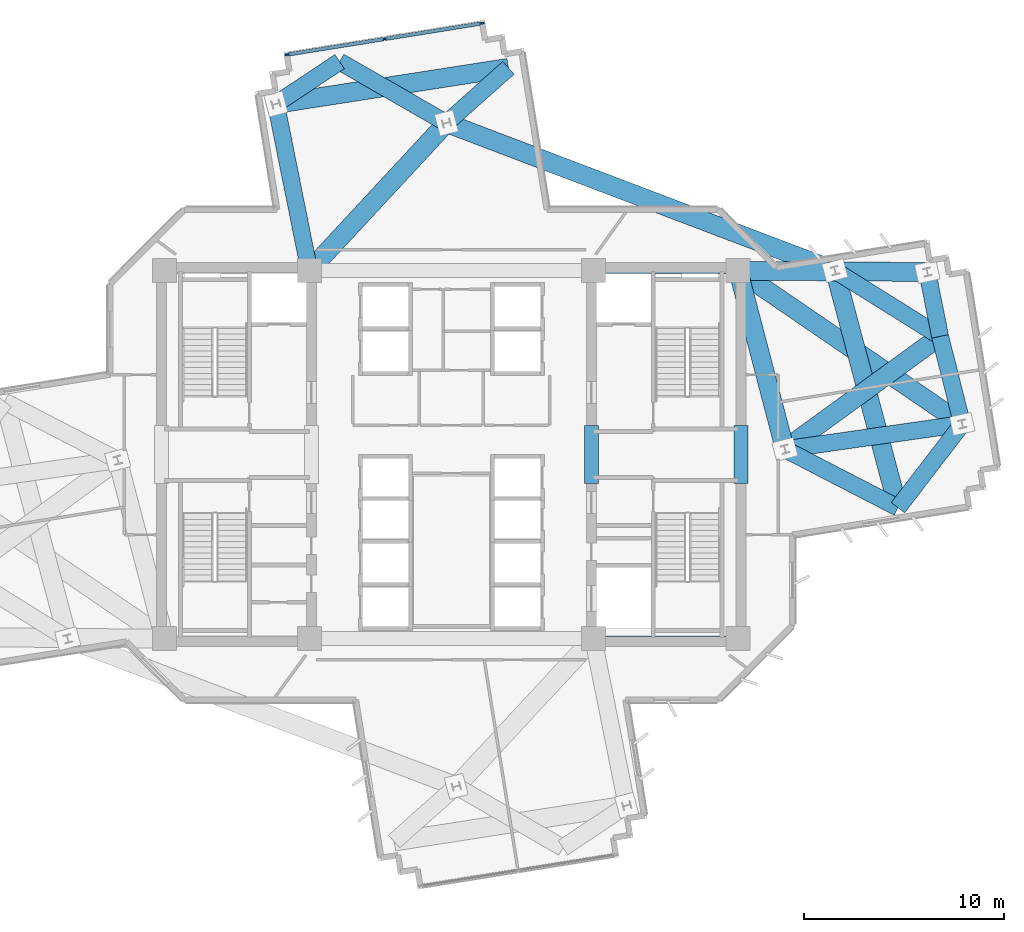
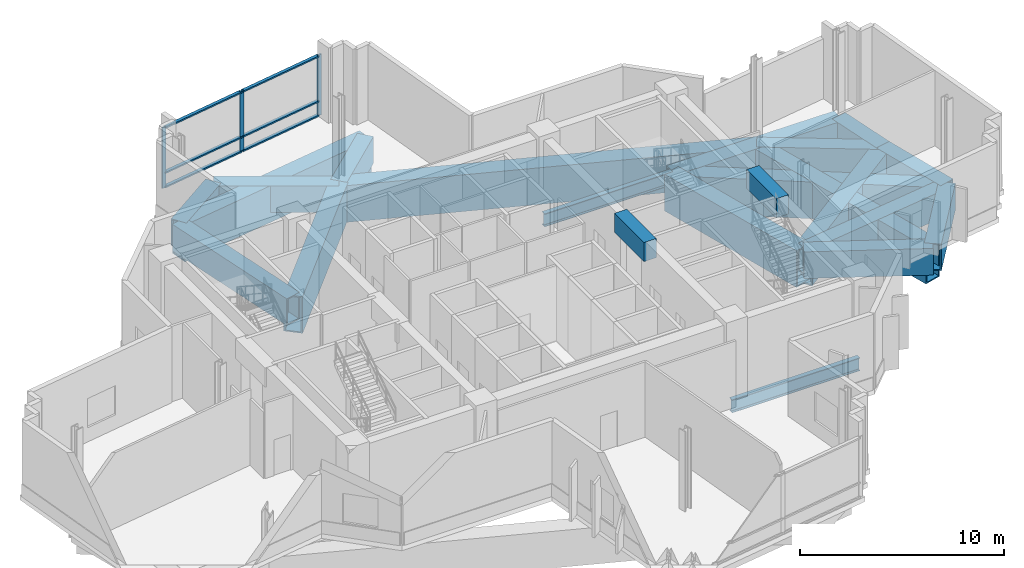
# One storey, part 3 of 12: 22 beams, 9 members, 1 element without a shape of its own.
"""IFC4 building model written with IfcOpenShell, lengths in metres."""

from ifc_helpers import new_model, si_unit, direction, frame, origin, origin_2d, place, context, subcontext, project, spatial, rectangle, hollow_rectangle, i_section, extrude, source, transform, mapped, material, layer, layer_set, material_profile, profile_set, type_object, element, aggregate, save


model = new_model("IFC4")

# Units and contexts
model_context = context("Model", 3, precision=1e-05, world=origin(), true_north=direction((0.0, 1.0)))
body_context = subcontext(model_context, "Body", "Model", "MODEL_VIEW")
ifc_project = project(units=[si_unit("LENGTHUNIT", "METRE"), si_unit("AREAUNIT", "SQUARE_METRE"), si_unit("VOLUMEUNIT", "CUBIC_METRE"), si_unit("PLANEANGLEUNIT", "RADIAN"), si_unit("MASSUNIT", "GRAM", prefix="KILO")], contexts=[model_context])

# Site, building, storey
site_placement = place(None, origin())
site = spatial("IfcSite", under=ifc_project, at=site_placement, CompositionType="ELEMENT")
building_placement = place(site_placement, origin())
building = spatial("IfcBuilding", under=site, at=building_placement, Name="Zahravan Cultural Tower", CompositionType="ELEMENT")
storey_placement = place(building_placement, frame((0.0, 0.0, 130.800048828125)))
storey = spatial("IfcBuildingStorey", under=building, at=storey_placement, Name="L29", CompositionType="ELEMENT", Elevation=130.800048828125)

# Beams
ifc_material_1 = material(Name="Concrete C50/60", Category="concrete")
ifc_material_profile_1 = material_profile(ifc_material_1, rectangle(XDim=0.699951171875, YDim=1.14990234375, at=origin_2d()), Name="RC700X1150")
ifc_profile_set_1 = profile_set([ifc_material_profile_1], Name="Concrete C50/60")
beam_type_1 = type_object("IfcBeamType", Name="BM-LN-RC700X1150", PredefinedType="LINTEL", material=ifc_profile_set_1)
shared_shape_1 = source(origin(), body_context, "Body", "SweptSolid", [
    extrude(rectangle(XDim=0.699951171875, YDim=1.14990234375, at=origin_2d()), origin(), (0.0, 0.0, 1.0), 2.89990234375),
])
for number, where, z_axis, x_axis, name in (
    (1, (43.0, 25.550048828125, 3.945068359375), (0.0, 1.0, 0.0), (-1.0, 0.0, 0.0), "L29 Beam LN-L29-PEW"),
    (2, (50.5, 25.550048828125, 3.945068359375), (0.0, 1.0, 0.0), (-1.0, 0.0, 0.0), "L29 Beam LN-L29-PEE"),
):
    element("IfcBeam", number, at=place(storey_placement, frame(where, z_axis=z_axis, x_axis=x_axis)), inside=storey, type_object=beam_type_1, Name=name, PredefinedType="LINTEL", context=body_context, shape_type="MappedRepresentation", body=[
        mapped(shared_shape_1, transform((0.0, 0.0, 0.0), x_axis=(1.0, 0.0, 0.0), y_axis=(0.0, 1.0, 0.0), z_axis=(0.0, 0.0, 1.0), scale=1.0)),
    ])
ifc_material_2 = material(Name="Steel ASTM A992 Grade 50", Category="steel")
ifc_material_profile_2 = material_profile(ifc_material_2, i_section(OverallWidth=0.26611328125, OverallDepth=0.780029296875, WebThickness=0.0166015625, FlangeThickness=0.030029296875, FilletRadius=0.01904296875, at=origin_2d()), Name="W30X148")
ifc_profile_set_2 = profile_set([ifc_material_profile_2], Name="Steel ASTM A992 Grade 50")
beam_type_2 = type_object("IfcBeamType", Name="BM-G-W30X148", PredefinedType="BEAM", material=ifc_profile_set_2)
shared_shape_2 = source(origin(), body_context, "Body", "SweptSolid", [
    extrude(i_section(OverallWidth=0.26611328125, OverallDepth=0.780029296875, WebThickness=0.0166015625, FlangeThickness=0.030029296875, FilletRadius=0.01904296875, at=origin_2d()), origin(), (0.0, 0.0, 1.0), 7.25),
])
for number, where, z_axis, x_axis, name in (
    (3, (43.10009765625, 17.800048828125, -0.68994140625), (1.0, 0.0, 0.0), (0.0, 1.0, 0.0), "L29 Beam BG-L29-04"),
    (4, (43.10009765625, 36.199951171875, -0.68994140625), (1.0, 0.0, 0.0), (0.0, 1.0, 0.0), "L29 Beam BG-L29-05"),
):
    element("IfcBeam", number, at=place(storey_placement, frame(where, z_axis=z_axis, x_axis=x_axis)), inside=storey, type_object=beam_type_2, Name=name, PredefinedType="BEAM", context=body_context, shape_type="MappedRepresentation", body=[
        mapped(shared_shape_2, transform((0.0, 0.0, 0.0), x_axis=(1.0, 0.0, 0.0), y_axis=(0.0, 1.0, 0.0), z_axis=(0.0, 0.0, 1.0), scale=1.0)),
    ])
ifc_material_3 = material(Name="Steel ASTM A572 Grade 50", Category="steel")
ifc_material_profile_3 = material_profile(ifc_material_3, hollow_rectangle(XDim=0.949951171875, YDim=2.199951171875, WallThickness=0.070068359375, at=origin_2d()), Name="BOX2200X950X70")
ifc_profile_set_3 = profile_set([ifc_material_profile_3], Name="Steel ASTM A572 Grade 50")
beam_type_3 = type_object("IfcBeamType", Name="BM-TR-BOX2200", PredefinedType="BEAM", material=ifc_profile_set_3)
shared_shape_3 = source(origin(), body_context, "Body", "SweptSolid", [
    extrude(hollow_rectangle(XDim=0.949951171875, YDim=2.199951171875, WallThickness=0.070068359375, at=origin_2d()), origin(), (0.0, 0.0, 1.0), 9.22900390625),
])
beam_1_placement = place(storey_placement, frame((50.35009765625, 36.199951171875, -1.400146484375), z_axis=(0.252922608408, -0.967486513682, 0.0), x_axis=(0.967486513682, 0.252922608408, 0.0)))
element("IfcBeam", 5, at=beam_1_placement, inside=storey, type_object=beam_type_3, Name="L29 Beam TB-L29-25", PredefinedType="BEAM", context=body_context, shape_type="MappedRepresentation", body=[
    mapped(shared_shape_3, transform((0.0, 0.0, 0.0), x_axis=(1.0, 0.0, 0.0), y_axis=(0.0, 1.0, 0.0), z_axis=(0.0, 0.0, 1.0), scale=1.0)),
])
ifc_material_profile_4 = material_profile(ifc_material_3, hollow_rectangle(XDim=0.85009765625, YDim=1.60009765625, WallThickness=0.06005859375, at=origin_2d()), Name="BOX1600X850X60")
ifc_profile_set_4 = profile_set([ifc_material_profile_4], Name="Steel ASTM A572 Grade 50")
beam_type_4 = type_object("IfcBeamType", Name="BM-TR-BOX1600", PredefinedType="BEAM", material=ifc_profile_set_4)
shared_shape_4 = source(origin(), body_context, "Body", "SweptSolid", [
    extrude(hollow_rectangle(XDim=0.85009765625, YDim=1.60009765625, WallThickness=0.06005859375, at=origin_2d()), origin(), (0.0, 0.0, 1.0), 6.36376953125),
])
beam_2_placement = place(storey_placement, frame((52.684326171875, 27.27099609375, -1.10009765625), z_axis=(0.888582826107, -0.458716209816, 0.0), x_axis=(0.458716209816, 0.888582826107, 0.0)))
element("IfcBeam", 6, at=beam_2_placement, inside=storey, type_object=beam_type_4, Name="L29 Beam TB-L29-26", PredefinedType="BEAM", context=body_context, shape_type="MappedRepresentation", body=[
    mapped(shared_shape_4, transform((0.0, 0.0, 0.0), x_axis=(1.0, 0.0, 0.0), y_axis=(0.0, 1.0, 0.0), z_axis=(0.0, 0.0, 1.0), scale=1.0)),
])
shared_shape_5 = source(origin(), body_context, "Body", "SweptSolid", [
    extrude(hollow_rectangle(XDim=0.949951171875, YDim=2.199951171875, WallThickness=0.070068359375, at=origin_2d()), origin(), (0.0, 0.0, 1.0), 9.599853515625),
])
beam_3_placement = place(storey_placement, frame((52.684326171875, 27.27099609375, -1.400146484375), z_axis=(0.808565591298, 0.588406054157, 0.0), x_axis=(-0.588406054157, 0.808565591298, 0.0)))
element("IfcBeam", 7, at=beam_3_placement, inside=storey, type_object=beam_type_3, Name="L29 Beam TB-L29-27", PredefinedType="BEAM", context=body_context, shape_type="MappedRepresentation", body=[
    mapped(shared_shape_5, transform((0.0, 0.0, 0.0), x_axis=(1.0, 0.0, 0.0), y_axis=(0.0, 1.0, 0.0), z_axis=(0.0, 0.0, 1.0), scale=1.0)),
])
shared_shape_6 = source(origin(), body_context, "Body", "SweptSolid", [
    extrude(hollow_rectangle(XDim=0.949951171875, YDim=2.199951171875, WallThickness=0.070068359375, at=origin_2d()), origin(), (0.0, 0.0, 1.0), 13.573974609375),
])
beam_4_placement = place(storey_placement, frame((50.35009765625, 36.199951171875, -1.400146484375), z_axis=(0.825296232067, -0.56470003483, 0.0), x_axis=(0.56470003483, 0.825296232067, 0.0)))
element("IfcBeam", 8, at=beam_4_placement, inside=storey, type_object=beam_type_3, Name="L29 Beam TB-L29-28", PredefinedType="BEAM", context=body_context, shape_type="MappedRepresentation", body=[
    mapped(shared_shape_6, transform((0.0, 0.0, 0.0), x_axis=(1.0, 0.0, 0.0), y_axis=(0.0, 1.0, 0.0), z_axis=(0.0, 0.0, 1.0), scale=1.0)),
])
shared_shape_7 = source(origin(), body_context, "Body", "SweptSolid", [
    extrude(hollow_rectangle(XDim=0.85009765625, YDim=1.60009765625, WallThickness=0.06005859375, at=origin_2d()), origin(), (0.0, 0.0, 1.0), 4.5224609375),
])
beam_5_placement = place(storey_placement, frame((61.552734375, 28.53466796875, -1.10009765625), z_axis=(-0.244605552125, 0.969622670872, 0.0), x_axis=(-0.969622670872, -0.244605552125, 0.0)))
element("IfcBeam", 9, at=beam_5_placement, inside=storey, type_object=beam_type_4, Name="L29 Beam TB-L29-29", PredefinedType="BEAM", context=body_context, shape_type="MappedRepresentation", body=[
    mapped(shared_shape_7, transform((0.0, 0.0, 0.0), x_axis=(1.0, 0.0, 0.0), y_axis=(0.0, 1.0, 0.0), z_axis=(0.0, 0.0, 1.0), scale=1.0)),
])
shared_shape_8 = source(origin(), body_context, "Body", "SweptSolid", [
    extrude(hollow_rectangle(XDim=0.85009765625, YDim=1.60009765625, WallThickness=0.06005859375, at=origin_2d()), origin(), (0.0, 0.0, 1.0), 5.27490234375),
])
beam_6_placement = place(storey_placement, frame((61.552734375, 28.53466796875, -1.10009765625), z_axis=(-0.609238691752, -0.792986895524, 0.0), x_axis=(0.792986895524, -0.609238691752, 0.0)))
element("IfcBeam", 10, at=beam_6_placement, inside=storey, type_object=beam_type_4, Name="L29 Beam TB-L29-30", PredefinedType="BEAM", context=body_context, shape_type="MappedRepresentation", body=[
    mapped(shared_shape_8, transform((0.0, 0.0, 0.0), x_axis=(1.0, 0.0, 0.0), y_axis=(0.0, 1.0, 0.0), z_axis=(0.0, 0.0, 1.0), scale=1.0)),
])
shared_shape_9 = source(origin(), body_context, "Body", "SweptSolid", [
    extrude(hollow_rectangle(XDim=0.949951171875, YDim=2.199951171875, WallThickness=0.070068359375, at=origin_2d()), origin(), (0.0, 0.0, 1.0), 9.456787109375),
])
beam_7_placement = place(storey_placement, frame((50.35009765625, 36.199951171875, -1.400146484375), z_axis=(0.99997798913, -0.006634851634, 0.0), x_axis=(0.006634851634, 0.99997798913, 0.0)))
element("IfcBeam", 11, at=beam_7_placement, inside=storey, type_object=beam_type_3, Name="L29 Beam TB-L29-31", PredefinedType="BEAM", context=body_context, shape_type="MappedRepresentation", body=[
    mapped(shared_shape_9, transform((0.0, 0.0, 0.0), x_axis=(1.0, 0.0, 0.0), y_axis=(0.0, 1.0, 0.0), z_axis=(0.0, 0.0, 1.0), scale=1.0)),
])
shared_shape_10 = source(origin(), body_context, "Body", "SweptSolid", [
    extrude(hollow_rectangle(XDim=0.85009765625, YDim=1.60009765625, WallThickness=0.06005859375, at=origin_2d()), origin(), (0.0, 0.0, 1.0), 3.280517578125),
])
beam_8_placement = place(storey_placement, frame((59.806640625, 36.13720703125, -1.10009765625), z_axis=(0.195056955315, -0.980791916863, 0.0), x_axis=(0.980791916863, 0.195056955315, 0.0)))
element("IfcBeam", 12, at=beam_8_placement, inside=storey, type_object=beam_type_4, Name="L29 Beam TB-L29-32", PredefinedType="BEAM", context=body_context, shape_type="MappedRepresentation", body=[
    mapped(shared_shape_10, transform((0.0, 0.0, 0.0), x_axis=(1.0, 0.0, 0.0), y_axis=(0.0, 1.0, 0.0), z_axis=(0.0, 0.0, 1.0), scale=1.0)),
])
shared_shape_11 = source(origin(), body_context, "Body", "SweptSolid", [
    extrude(hollow_rectangle(XDim=0.85009765625, YDim=1.60009765625, WallThickness=0.06005859375, at=origin_2d()), origin(), (0.0, 0.0, 1.0), 6.20361328125),
])
beam_9_placement = place(storey_placement, frame((55.184814453125, 36.2060546875, -1.10009765625), z_axis=(0.848157450483, -0.529744220534, 0.0), x_axis=(0.529744220534, 0.848157450483, 0.0)))
element("IfcBeam", 13, at=beam_9_placement, inside=storey, type_object=beam_type_4, Name="L29 Beam TB-L29-35", PredefinedType="BEAM", context=body_context, shape_type="MappedRepresentation", body=[
    mapped(shared_shape_11, transform((0.0, 0.0, 0.0), x_axis=(1.0, 0.0, 0.0), y_axis=(0.0, 1.0, 0.0), z_axis=(0.0, 0.0, 1.0), scale=1.0)),
])
shared_shape_12 = source(origin(), body_context, "Body", "SweptSolid", [
    extrude(hollow_rectangle(XDim=0.949951171875, YDim=2.199951171875, WallThickness=0.070068359375, at=origin_2d()), origin(), (0.0, 0.0, 1.0), 12.266845703125),
])
beam_10_placement = place(storey_placement, frame((55.184814453125, 36.2060546875, -1.400146484375), z_axis=(0.257142336266, -0.966373540045, 0.0), x_axis=(0.966373540045, 0.257142336266, 0.0)))
element("IfcBeam", 14, at=beam_10_placement, inside=storey, type_object=beam_type_3, Name="L29 Beam TB-L29-36", PredefinedType="BEAM", context=body_context, shape_type="MappedRepresentation", body=[
    mapped(shared_shape_12, transform((0.0, 0.0, 0.0), x_axis=(1.0, 0.0, 0.0), y_axis=(0.0, 1.0, 0.0), z_axis=(0.0, 0.0, 1.0), scale=1.0)),
])
shared_shape_13 = source(origin(), body_context, "Body", "SweptSolid", [
    extrude(hollow_rectangle(XDim=0.949951171875, YDim=2.199951171875, WallThickness=0.070068359375, at=origin_2d()), origin(), (0.0, 0.0, 1.0), 10.077880859375),
])
beam_11_placement = place(storey_placement, frame((28.89990234375, 36.199951171875, -1.400146484375), z_axis=(0.680170435587, 0.733054007938, 0.0), x_axis=(-0.733054007938, 0.680170435587, 0.0)))
element("IfcBeam", 15, at=beam_11_placement, inside=storey, type_object=beam_type_3, Name="L29 Beam TB-L29-37", PredefinedType="BEAM", context=body_context, shape_type="MappedRepresentation", body=[
    mapped(shared_shape_13, transform((0.0, 0.0, 0.0), x_axis=(1.0, 0.0, 0.0), y_axis=(0.0, 1.0, 0.0), z_axis=(0.0, 0.0, 1.0), scale=1.0)),
])
shared_shape_14 = source(origin(), body_context, "Body", "SweptSolid", [
    extrude(hollow_rectangle(XDim=0.85009765625, YDim=1.60009765625, WallThickness=0.06005859375, at=origin_2d()), origin(), (0.0, 0.0, 1.0), 4.15185546875),
])
beam_12_placement = place(storey_placement, frame((35.754638671875, 43.587646484375, -1.10009765625), z_axis=(0.747318472277, 0.664466026967, 0.0), x_axis=(-0.664466026967, 0.747318472277, 0.0)))
element("IfcBeam", 16, at=beam_12_placement, inside=storey, type_object=beam_type_4, Name="L29 Beam TB-L29-38", PredefinedType="BEAM", context=body_context, shape_type="MappedRepresentation", body=[
    mapped(shared_shape_14, transform((0.0, 0.0, 0.0), x_axis=(1.0, 0.0, 0.0), y_axis=(0.0, 1.0, 0.0), z_axis=(0.0, 0.0, 1.0), scale=1.0)),
])
shared_shape_15 = source(origin(), body_context, "Body", "SweptSolid", [
    extrude(hollow_rectangle(XDim=0.85009765625, YDim=1.60009765625, WallThickness=0.06005859375, at=origin_2d()), origin(), (0.0, 0.0, 1.0), 6.159423828125),
])
beam_13_placement = place(storey_placement, frame((35.754638671875, 43.587646484375, -1.10009765625), z_axis=(-0.866886177, 0.498506124463, 0.0), x_axis=(-0.498506124463, -0.866886177, 0.0)))
element("IfcBeam", 17, at=beam_13_placement, inside=storey, type_object=beam_type_4, Name="L29 Beam TB-L29-39", PredefinedType="BEAM", context=body_context, shape_type="MappedRepresentation", body=[
    mapped(shared_shape_15, transform((0.0, 0.0, 0.0), x_axis=(1.0, 0.0, 0.0), y_axis=(0.0, 1.0, 0.0), z_axis=(0.0, 0.0, 1.0), scale=1.0)),
])
shared_shape_16 = source(origin(), body_context, "Body", "SweptSolid", [
    extrude(hollow_rectangle(XDim=0.85009765625, YDim=1.60009765625, WallThickness=0.06005859375, at=origin_2d()), origin(), (0.0, 0.0, 1.0), 8.50732421875),
])
beam_14_placement = place(storey_placement, frame((28.89990234375, 36.199951171875, -1.10009765625), z_axis=(-0.196524514012, 0.980498911469, 0.0), x_axis=(-0.980498911469, -0.196524514012, 0.0)))
element("IfcBeam", 18, at=beam_14_placement, inside=storey, type_object=beam_type_4, Name="L29 Beam TB-L29-40", PredefinedType="BEAM", context=body_context, shape_type="MappedRepresentation", body=[
    mapped(shared_shape_16, transform((0.0, 0.0, 0.0), x_axis=(1.0, 0.0, 0.0), y_axis=(0.0, 1.0, 0.0), z_axis=(0.0, 0.0, 1.0), scale=1.0)),
])
shared_shape_17 = source(origin(), body_context, "Body", "SweptSolid", [
    extrude(hollow_rectangle(XDim=0.85009765625, YDim=1.60009765625, WallThickness=0.06005859375, at=origin_2d()), origin(), (0.0, 0.0, 1.0), 3.825927734375),
])
beam_15_placement = place(storey_placement, frame((27.22802734375, 44.541259765625, -1.10009765625), z_axis=(0.832981732739, 0.553300490622, 0.0), x_axis=(-0.553300490622, 0.832981732739, 0.0)))
element("IfcBeam", 19, at=beam_15_placement, inside=storey, type_object=beam_type_4, Name="L29 Beam TB-L29-41", PredefinedType="BEAM", context=body_context, shape_type="MappedRepresentation", body=[
    mapped(shared_shape_17, transform((0.0, 0.0, 0.0), x_axis=(1.0, 0.0, 0.0), y_axis=(0.0, 1.0, 0.0), z_axis=(0.0, 0.0, 1.0), scale=1.0)),
])
shared_shape_18 = source(origin(), body_context, "Body", "SweptSolid", [
    extrude(hollow_rectangle(XDim=0.949951171875, YDim=2.199951171875, WallThickness=0.070068359375, at=origin_2d()), origin(), (0.0, 0.0, 1.0), 11.7685546875),
])
beam_16_placement = place(storey_placement, frame((27.22802734375, 44.541259765625, -1.400146484375), z_axis=(0.988165989448, 0.153388321912, 0.0), x_axis=(-0.153388321912, 0.988165989448, 0.0)))
element("IfcBeam", 20, at=beam_16_placement, inside=storey, type_object=beam_type_3, Name="L29 Beam TB-L29-42", PredefinedType="BEAM", context=body_context, shape_type="MappedRepresentation", body=[
    mapped(shared_shape_18, transform((0.0, 0.0, 0.0), x_axis=(1.0, 0.0, 0.0), y_axis=(0.0, 1.0, 0.0), z_axis=(0.0, 0.0, 1.0), scale=1.0)),
])
shared_shape_19 = source(origin(), body_context, "Body", "SweptSolid", [
    extrude(hollow_rectangle(XDim=0.85009765625, YDim=1.60009765625, WallThickness=0.06005859375, at=origin_2d()), origin(), (0.0, 0.0, 1.0), 8.9580078125),
])
beam_17_placement = place(storey_placement, frame((52.684326171875, 27.27099609375, -1.10009765625), z_axis=(0.990000122431, 0.141066500584, 0.0), x_axis=(-0.141066500584, 0.990000122431, 0.0)))
element("IfcBeam", 21, at=beam_17_placement, inside=storey, type_object=beam_type_4, Name="L29 Beam TB-L29-49", PredefinedType="BEAM", context=body_context, shape_type="MappedRepresentation", body=[
    mapped(shared_shape_19, transform((0.0, 0.0, 0.0), x_axis=(1.0, 0.0, 0.0), y_axis=(0.0, 1.0, 0.0), z_axis=(0.0, 0.0, 1.0), scale=1.0)),
])
shared_shape_20 = source(origin(), body_context, "Body", "SweptSolid", [
    extrude(hollow_rectangle(XDim=0.949951171875, YDim=2.199951171875, WallThickness=0.070068359375, at=origin_2d()), origin(), (0.0, 0.0, 1.0), 20.78515625),
])
beam_18_placement = place(storey_placement, frame((55.184814453125, 36.2060546875, -1.400146484375), z_axis=(-0.934813531296, 0.355138932962, 0.0), x_axis=(-0.355138932962, -0.934813531296, 0.0)))
element("IfcBeam", 22, at=beam_18_placement, inside=storey, type_object=beam_type_3, Name="L29 Beam TB-L29-52", PredefinedType="BEAM", context=body_context, shape_type="MappedRepresentation", body=[
    mapped(shared_shape_20, transform((0.0, 0.0, 0.0), x_axis=(1.0, 0.0, 0.0), y_axis=(0.0, 1.0, 0.0), z_axis=(0.0, 0.0, 1.0), scale=1.0)),
])

# Curtain wall, members
ifc_material_4 = material(Name="Anodised bronze-aluminium mullion", Category="aluminium")
ifc_layer = layer(ifc_material_4, 0.239990234375)
ifc_layer_set = layer_set([ifc_layer], Name="Anodised bronze-aluminium mullion")
curtain_wall_type = type_object("IfcCurtainWallType", Name="CW-SYS-5", PredefinedType="USERDEFINED", material=ifc_layer_set)
curtain_wall_placement = place(storey_placement, origin())
curtain_wall = element("IfcCurtainWall", 23, at=curtain_wall_placement, inside=storey, type_object=curtain_wall_type, Name="L29 Recessed Curtain Wall CW-5.2", ObjectType="RECESSED GLAZING", PredefinedType="USERDEFINED")
ifc_material_profile_5 = material_profile(ifc_material_4, rectangle(XDim=0.0849609375, YDim=0.239990234375, at=origin_2d()), Name="AL-M85X240")
ifc_profile_set_5 = profile_set([ifc_material_profile_5], Name="Anodised bronze-aluminium mullion")
member_type_1 = type_object("IfcMemberType", Name="CWM-CW-5", PredefinedType="MULLION", material=ifc_profile_set_5)
shared_shape_21 = source(origin(), body_context, "Body", "SweptSolid", [
    extrude(rectangle(XDim=0.0849609375, YDim=0.239990234375, at=origin_2d()), origin(), (0.0, 0.0, 1.0), 3.639892578125),
])
member_1_placement = place(storey_placement, frame((27.806640625, 47.014404296875, 0.0), z_axis=(0.0, 0.0, 1.0), x_axis=(-0.158506300899, 0.987357965773, 0.0)))
member_1 = element("IfcMember", 24, at=member_1_placement, type_object=member_type_1, Name="CW-5 mullion 1", PredefinedType="MULLION", context=body_context, shape_type="MappedRepresentation", body=[
    mapped(shared_shape_21, transform((0.0, 0.0, 0.0), x_axis=(1.0, 0.0, 0.0), y_axis=(0.0, 1.0, 0.0), z_axis=(0.0, 0.0, 1.0), scale=1.0)),
])
member_2_placement = place(storey_placement, frame((32.661865234375, 47.793701171875, 0.0), z_axis=(0.0, 0.0, 1.0), x_axis=(-0.158506300899, 0.987357965773, 0.0)))
member_2 = element("IfcMember", 25, at=member_2_placement, type_object=member_type_1, Name="CW-5 mullion 2", PredefinedType="MULLION", context=body_context, shape_type="MappedRepresentation", body=[
    mapped(shared_shape_21, transform((0.0, 0.0, 0.0), x_axis=(1.0, 0.0, 0.0), y_axis=(0.0, 1.0, 0.0), z_axis=(0.0, 0.0, 1.0), scale=1.0)),
])
member_3_placement = place(storey_placement, frame((37.517333984375, 48.5732421875, 0.0), z_axis=(0.0, 0.0, 1.0), x_axis=(-0.158506300899, 0.987357965773, 0.0)))
member_3 = element("IfcMember", 26, at=member_3_placement, type_object=member_type_1, Name="CW-5 mullion 3", PredefinedType="MULLION", context=body_context, shape_type="MappedRepresentation", body=[
    mapped(shared_shape_21, transform((0.0, 0.0, 0.0), x_axis=(1.0, 0.0, 0.0), y_axis=(0.0, 1.0, 0.0), z_axis=(0.0, 0.0, 1.0), scale=1.0)),
])
ifc_material_profile_6 = material_profile(ifc_material_4, rectangle(XDim=0.179931640625, YDim=0.0849609375, at=origin_2d()), Name="AL-T85X180")
ifc_profile_set_6 = profile_set([ifc_material_profile_6], Name="Anodised bronze-aluminium mullion")
member_type_2 = type_object("IfcMemberType", Name="CWT-CW-5", PredefinedType="USERDEFINED", material=ifc_profile_set_6)
shared_shape_22 = source(origin(), body_context, "Body", "SweptSolid", [
    extrude(rectangle(XDim=0.179931640625, YDim=0.0849609375, at=origin_2d()), origin(), (0.0, 0.0, 1.0), 4.832275390625),
])
member_4_placement = place(storey_placement, frame((27.8486328125, 47.02099609375, 0.04248046875), z_axis=(0.987352834823, 0.158538259002, 0.0), x_axis=(-0.158538259002, 0.987352834823, 0.0)))
member_4 = element("IfcMember", 27, at=member_4_placement, type_object=member_type_2, Name="CW-5 transom 1.1", ObjectType="TRANSOM", PredefinedType="USERDEFINED", context=body_context, shape_type="MappedRepresentation", body=[
    mapped(shared_shape_22, transform((0.0, 0.0, 0.0), x_axis=(1.0, 0.0, 0.0), y_axis=(0.0, 1.0, 0.0), z_axis=(0.0, 0.0, 1.0), scale=1.0)),
])
member_5_placement = place(storey_placement, frame((27.8486328125, 47.02099609375, 0.89990234375), z_axis=(0.987352834823, 0.158538259002, 0.0), x_axis=(-0.158538259002, 0.987352834823, 0.0)))
member_5 = element("IfcMember", 28, at=member_5_placement, type_object=member_type_2, Name="CW-5 transom 1.2", ObjectType="TRANSOM", PredefinedType="USERDEFINED", context=body_context, shape_type="MappedRepresentation", body=[
    mapped(shared_shape_22, transform((0.0, 0.0, 0.0), x_axis=(1.0, 0.0, 0.0), y_axis=(0.0, 1.0, 0.0), z_axis=(0.0, 0.0, 1.0), scale=1.0)),
])
member_6_placement = place(storey_placement, frame((27.8486328125, 47.02099609375, 3.597412109375), z_axis=(0.987352834823, 0.158538259002, 0.0), x_axis=(-0.158538259002, 0.987352834823, 0.0)))
member_6 = element("IfcMember", 29, at=member_6_placement, type_object=member_type_2, Name="CW-5 transom 1.3", ObjectType="TRANSOM", PredefinedType="USERDEFINED", context=body_context, shape_type="MappedRepresentation", body=[
    mapped(shared_shape_22, transform((0.0, 0.0, 0.0), x_axis=(1.0, 0.0, 0.0), y_axis=(0.0, 1.0, 0.0), z_axis=(0.0, 0.0, 1.0), scale=1.0)),
])
shared_shape_23 = source(origin(), body_context, "Body", "SweptSolid", [
    extrude(rectangle(XDim=0.179931640625, YDim=0.0849609375, at=origin_2d()), origin(), (0.0, 0.0, 1.0), 4.83251953125),
])
member_7_placement = place(storey_placement, frame((32.703857421875, 47.800537109375, 0.04248046875), z_axis=(0.987362011006, 0.158481100518, 0.0), x_axis=(-0.158481100518, 0.987362011006, 0.0)))
member_7 = element("IfcMember", 30, at=member_7_placement, type_object=member_type_2, Name="CW-5 transom 2.1", ObjectType="TRANSOM", PredefinedType="USERDEFINED", context=body_context, shape_type="MappedRepresentation", body=[
    mapped(shared_shape_23, transform((0.0, 0.0, 0.0), x_axis=(1.0, 0.0, 0.0), y_axis=(0.0, 1.0, 0.0), z_axis=(0.0, 0.0, 1.0), scale=1.0)),
])
member_8_placement = place(storey_placement, frame((32.703857421875, 47.800537109375, 0.89990234375), z_axis=(0.987362011006, 0.158481100518, 0.0), x_axis=(-0.158481100518, 0.987362011006, 0.0)))
member_8 = element("IfcMember", 31, at=member_8_placement, type_object=member_type_2, Name="CW-5 transom 2.2", ObjectType="TRANSOM", PredefinedType="USERDEFINED", context=body_context, shape_type="MappedRepresentation", body=[
    mapped(shared_shape_23, transform((0.0, 0.0, 0.0), x_axis=(1.0, 0.0, 0.0), y_axis=(0.0, 1.0, 0.0), z_axis=(0.0, 0.0, 1.0), scale=1.0)),
])
member_9_placement = place(storey_placement, frame((32.703857421875, 47.800537109375, 3.597412109375), z_axis=(0.987362011006, 0.158481100518, 0.0), x_axis=(-0.158481100518, 0.987362011006, 0.0)))
member_9 = element("IfcMember", 32, at=member_9_placement, type_object=member_type_2, Name="CW-5 transom 2.3", ObjectType="TRANSOM", PredefinedType="USERDEFINED", context=body_context, shape_type="MappedRepresentation", body=[
    mapped(shared_shape_23, transform((0.0, 0.0, 0.0), x_axis=(1.0, 0.0, 0.0), y_axis=(0.0, 1.0, 0.0), z_axis=(0.0, 0.0, 1.0), scale=1.0)),
])
aggregate(curtain_wall, [member_1, member_2, member_3, member_4, member_5, member_6, member_7, member_8, member_9])

save(model, "model.ifc")
